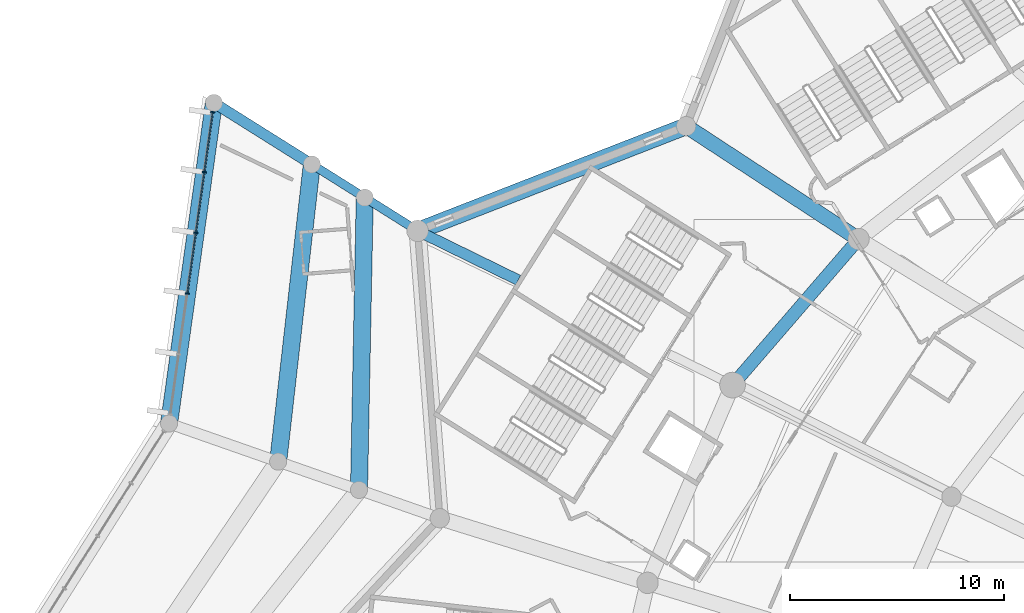
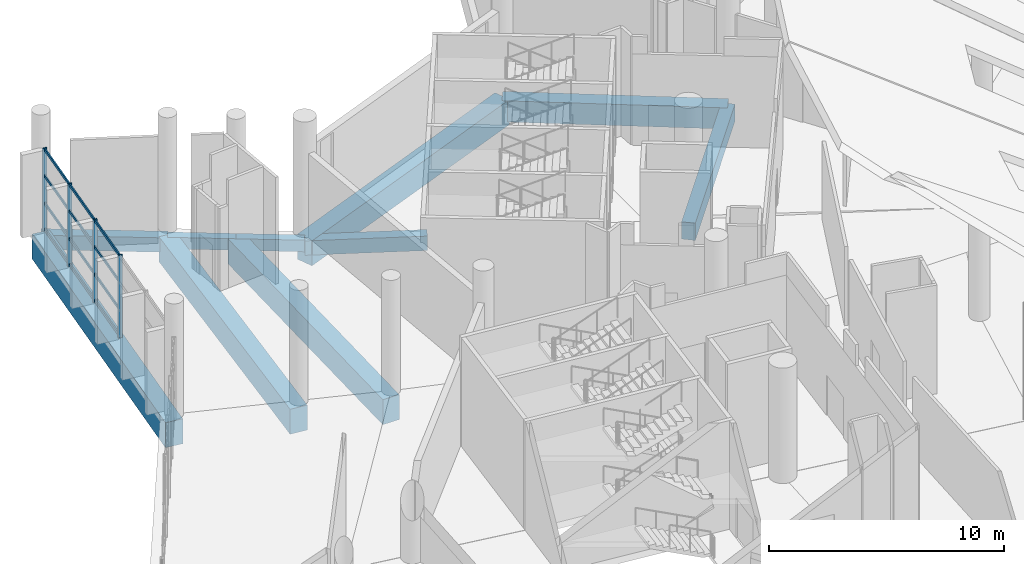
# One storey, part 63 of 249: 16 members, 10 beams, 1 element without a shape of its own.
"""IFC4 building model written with IfcOpenShell, lengths in metres."""

from ifc_helpers import new_model, si_unit, direction, frame, origin, origin_2d, place, context, subcontext, project, spatial, rectangle, extrude, material, layer, layer_set, material_profile, profile_set, type_object, element, aggregate, save


model = new_model("IFC4")

# Units and contexts
model_context = context("Model", 3, precision=1e-05, world=origin(), true_north=direction((0.0, 1.0)))
body_context = subcontext(model_context, "Body", "Model", "MODEL_VIEW")
ifc_project = project(units=[si_unit("LENGTHUNIT", "METRE"), si_unit("AREAUNIT", "SQUARE_METRE"), si_unit("VOLUMEUNIT", "CUBIC_METRE"), si_unit("PLANEANGLEUNIT", "RADIAN"), si_unit("MASSUNIT", "GRAM", prefix="KILO")], contexts=[model_context])

# Site, building, storey
site_placement = place(None, origin())
site = spatial("IfcSite", under=ifc_project, at=site_placement, CompositionType="ELEMENT")
building_placement = place(site_placement, origin())
building = spatial("IfcBuilding", under=site, at=building_placement, Name="Meseta Stadium", CompositionType="ELEMENT")
storey_placement = place(building_placement, frame((0.0, 0.0, 12.0)))
storey = spatial("IfcBuildingStorey", under=building, at=storey_placement, Name="L02", CompositionType="ELEMENT", Elevation=12.0)

# Beams
ifc_material_1 = material(Name="Concrete C40/50", Category="concrete")
ifc_material_profile_1 = material_profile(ifc_material_1, rectangle(XDim=0.39990234375, YDim=0.60009765625, at=origin_2d()), Name="RC 400x600")
ifc_profile_set_1 = profile_set([ifc_material_profile_1], Name="Concrete C40/50")
beam_type_1 = type_object("IfcBeamType", Name="RC beam 400x600", PredefinedType="BEAM", material=ifc_profile_set_1)
beam_1_placement = place(storey_placement, frame((-92.908447265625, 79.474609375, -0.64990234375), z_axis=(-0.846736663206, 0.532012239693, 0.0), x_axis=(-0.532012239693, -0.846736663206, 0.0)))
element("IfcBeam", 1, at=beam_1_placement, inside=storey, type_object=beam_type_1, Name="L02 radial beam frame 26 line R to M", PredefinedType="BEAM", context=body_context, shape_type="SweptSolid", body=[
    extrude(rectangle(XDim=0.39990234375, YDim=0.60009765625, at=origin_2d()), origin(), (0.0, 0.0, 1.0), 2.9189453125),
])
beam_2_placement = place(storey_placement, frame((-95.380126953125, 81.027587890625, -0.64990234375), z_axis=(-0.846698986635, 0.532072200017, 0.0), x_axis=(-0.532072200017, -0.846698986635, 0.0)))
element("IfcBeam", 2, at=beam_2_placement, inside=storey, type_object=beam_type_1, Name="L02 radial beam frame 26 line M to Q", PredefinedType="BEAM", context=body_context, shape_type="SweptSolid", body=[
    extrude(rectangle(XDim=0.39990234375, YDim=0.60009765625, at=origin_2d()), origin(), (0.0, 0.0, 1.0), 2.919189453125),
])
ifc_material_2 = material(Name="Concrete C40/50", Category="concrete")
ifc_material_profile_2 = material_profile(ifc_material_2, rectangle(XDim=0.5, YDim=0.75, at=origin_2d()), Name="RC 500x750")
ifc_profile_set_2 = profile_set([ifc_material_profile_2], Name="Concrete C40/50")
beam_type_2 = type_object("IfcBeamType", Name="RC beam 500x750", PredefinedType="BEAM", material=ifc_profile_set_2)
beam_3_placement = place(storey_placement, frame((-88.212158203125, 77.175048828125, -0.72509765625), z_axis=(-0.898112763243, 0.439765237939, 0.0), x_axis=(-0.439765237939, -0.898112763243, 0.0)))
element("IfcBeam", 3, at=beam_3_placement, inside=storey, type_object=beam_type_2, Name="L02 radial beam frame 26 line P to R", PredefinedType="BEAM", context=body_context, shape_type="SweptSolid", body=[
    extrude(rectangle(XDim=0.5, YDim=0.75, at=origin_2d()), origin(), (0.0, 0.0, 1.0), 5.22900390625),
])
beam_4_placement = place(storey_placement, frame((-97.851806640625, 82.580810546875, -0.72509765625), z_axis=(-0.846748855747, 0.531992833871, 0.0), x_axis=(-0.531992833871, -0.846748855747, 0.0)))
element("IfcBeam", 4, at=beam_4_placement, inside=storey, type_object=beam_type_2, Name="L02 radial beam frame 26 line Q to O", PredefinedType="BEAM", context=body_context, shape_type="SweptSolid", body=[
    extrude(rectangle(XDim=0.5, YDim=0.75, at=origin_2d()), origin(), (0.0, 0.0, 1.0), 5.400146484375),
])
ifc_material_3 = material(Name="Concrete C40/50", Category="concrete")
ifc_material_profile_3 = material_profile(ifc_material_3, rectangle(XDim=0.60009765625, YDim=0.89990234375, at=origin_2d()), Name="RC 600x900")
ifc_profile_set_3 = profile_set([ifc_material_profile_3], Name="Concrete C40/50")
beam_type_3 = type_object("IfcBeamType", Name="RC beam 600x900", PredefinedType="BEAM", material=ifc_profile_set_3)
beam_5_placement = place(storey_placement, frame((-72.31201171875, 79.091064453125, -0.800048828125), z_axis=(-0.653414508663, -0.757000316954, 0.0), x_axis=(0.757000316954, -0.653414508663, 0.0)))
element("IfcBeam", 5, at=beam_5_placement, inside=storey, type_object=beam_type_3, Name="L02 ring beam frame 25 line P", PredefinedType="BEAM", context=body_context, shape_type="SweptSolid", body=[
    extrude(rectangle(XDim=0.60009765625, YDim=0.89990234375, at=origin_2d()), origin(), (0.0, 0.0, 1.0), 9.008056640625),
])
ifc_material_4 = material(Name="Concrete C40/50", Category="concrete")
ifc_material_profile_4 = material_profile(ifc_material_4, rectangle(XDim=0.699951171875, YDim=1.10009765625, at=origin_2d()), Name="RC 700x1100")
ifc_profile_set_4 = profile_set([ifc_material_profile_4], Name="Concrete C40/50")
beam_type_4 = type_object("IfcBeamType", Name="RC beam 700x1100", PredefinedType="BEAM", material=ifc_profile_set_4)
beam_6_placement = place(storey_placement, frame((-72.31201171875, 79.091064453125, -0.89990234375), z_axis=(-0.836556122728, 0.547881240349, 0.0), x_axis=(-0.547881240349, -0.836556122728, 0.0)))
element("IfcBeam", 6, at=beam_6_placement, inside=storey, type_object=beam_type_4, Name="L02 radial beam frame 25 line P to R", PredefinedType="BEAM", context=body_context, shape_type="SweptSolid", body=[
    extrude(rectangle(XDim=0.699951171875, YDim=1.10009765625, at=origin_2d()), origin(), (0.0, 0.0, 1.0), 9.626953125),
])
ifc_material_5 = material(Name="Concrete C40/50", Category="concrete")
ifc_material_profile_5 = material_profile(ifc_material_5, rectangle(XDim=0.800048828125, YDim=1.300048828125, at=origin_2d()), Name="RC 800x1300")
ifc_profile_set_5 = profile_set([ifc_material_profile_5], Name="Concrete C40/50")
beam_type_5 = type_object("IfcBeamType", Name="RC beam 800x1300", PredefinedType="BEAM", material=ifc_profile_set_5)
beam_7_placement = place(storey_placement, frame((-80.365478515625, 84.365478515625, -1.0), z_axis=(-0.93167689837, -0.363287980868, 0.0), x_axis=(0.363287980868, -0.93167689837, 0.0)))
element("IfcBeam", 7, at=beam_7_placement, inside=storey, type_object=beam_type_5, Name="L02 ring beam frame 25 line R", PredefinedType="BEAM", context=body_context, shape_type="SweptSolid", body=[
    extrude(rectangle(XDim=0.800048828125, YDim=1.300048828125, at=origin_2d()), origin(), (0.0, 0.0, 1.0), 13.462890625),
])
beam_8_placement = place(storey_placement, frame((-95.380126953125, 81.027587890625, -1.0), z_axis=(-0.019627900499, -0.999807354205, 0.0), x_axis=(0.999807354205, -0.019627900499, 0.0)))
element("IfcBeam", 8, at=beam_8_placement, inside=storey, type_object=beam_type_5, Name="L02 ring beam frame 26 line M", PredefinedType="BEAM", context=body_context, shape_type="SweptSolid", body=[
    extrude(rectangle(XDim=0.800048828125, YDim=1.300048828125, at=origin_2d()), origin(), (0.0, 0.0, 1.0), 13.657470703125),
])
beam_9_placement = place(storey_placement, frame((-97.851806640625, 82.580810546875, -1.0), z_axis=(-0.112482832054, -0.993653668283, 0.0), x_axis=(0.993653668283, -0.112482832054, 0.0)))
element("IfcBeam", 9, at=beam_9_placement, inside=storey, type_object=beam_type_5, Name="L02 ring beam frame 26 line Q", PredefinedType="BEAM", context=body_context, shape_type="SweptSolid", body=[
    extrude(rectangle(XDim=0.800048828125, YDim=1.300048828125, at=origin_2d()), origin(), (0.0, 0.0, 1.0), 13.9755859375),
])
beam_10_placement = place(storey_placement, frame((-102.42431640625, 85.45361328125, -1.0), z_axis=(-0.138631693814, -0.990344007641, 0.0), x_axis=(0.990344007641, -0.138631693814, 0.0)))
element("IfcBeam", 10, at=beam_10_placement, inside=storey, type_object=beam_type_5, Name="L02 ring beam frame 26 line O", PredefinedType="BEAM", context=body_context, shape_type="SweptSolid", body=[
    extrude(rectangle(XDim=0.800048828125, YDim=1.300048828125, at=origin_2d()), origin(), (0.0, 0.0, 1.0), 15.122314453125),
])

# Curtain wall, members
ifc_material_6 = material(Name="Aluminium", Category="aluminium")
ifc_layer = layer(ifc_material_6, 0.199951171875)
ifc_layer_set = layer_set([ifc_layer], Name="Ring shopfront curtain wall")
curtain_wall_type = type_object("IfcCurtainWallType", Name="Ring shopfront curtain wall", PredefinedType="NOTDEFINED", material=ifc_layer_set)
curtain_wall_placement = place(storey_placement, origin())
curtain_wall = element("IfcCurtainWall", 11, at=curtain_wall_placement, inside=storey, type_object=curtain_wall_type, Name="Ring glazing L02 F26", PredefinedType="NOTDEFINED")
ifc_material_7 = material(Name="Aluminium", Category="aluminium")
ifc_material_profile_6 = material_profile(ifc_material_7, rectangle(XDim=0.199951171875, YDim=0.06005859375, at=origin_2d()), Name="CW 200x60")
ifc_profile_set_6 = profile_set([ifc_material_profile_6], Name="Aluminium")
member_type_1 = type_object("IfcMemberType", Name="Ring CW mullion 60x200", PredefinedType="MULLION", material=ifc_profile_set_6)
member_1_placement = place(storey_placement, frame((-102.483642578125, 85.02783203125, 0.0), z_axis=(0.0, 0.0, 1.0), x_axis=(0.990342456098, -0.13864277713, 0.0)))
member_1 = element("IfcMember", 12, at=member_1_placement, type_object=member_type_1, Name="CWR1 mullion 1", PredefinedType="MULLION", context=body_context, shape_type="SweptSolid", body=[
    extrude(rectangle(XDim=0.199951171875, YDim=0.06005859375, at=origin_2d()), origin(), (0.0, 0.0, 1.0), 4.300048828125),
])
member_2_placement = place(storey_placement, frame((-102.876708984375, 82.220703125, 0.0), z_axis=(0.0, 0.0, 1.0), x_axis=(0.990342456098, -0.13864277713, 0.0)))
member_2 = element("IfcMember", 13, at=member_2_placement, type_object=member_type_1, Name="CWR1 mullion 2", PredefinedType="MULLION", context=body_context, shape_type="SweptSolid", body=[
    extrude(rectangle(XDim=0.199951171875, YDim=0.06005859375, at=origin_2d()), origin(), (0.0, 0.0, 1.0), 4.300048828125),
])
member_3_placement = place(storey_placement, frame((-103.27392578125, 79.3837890625, 0.0), z_axis=(0.0, 0.0, 1.0), x_axis=(0.990342456098, -0.13864277713, 0.0)))
member_3 = element("IfcMember", 14, at=member_3_placement, type_object=member_type_1, Name="CWR1 mullion 3", PredefinedType="MULLION", context=body_context, shape_type="SweptSolid", body=[
    extrude(rectangle(XDim=0.199951171875, YDim=0.06005859375, at=origin_2d()), origin(), (0.0, 0.0, 1.0), 4.300048828125),
])
member_4_placement = place(storey_placement, frame((-103.6708984375, 76.547119140625, 0.0), z_axis=(0.0, 0.0, 1.0), x_axis=(0.990342456098, -0.13864277713, 0.0)))
member_4 = element("IfcMember", 15, at=member_4_placement, type_object=member_type_1, Name="CWR1 mullion 4", PredefinedType="MULLION", context=body_context, shape_type="SweptSolid", body=[
    extrude(rectangle(XDim=0.199951171875, YDim=0.06005859375, at=origin_2d()), origin(), (0.0, 0.0, 1.0), 4.300048828125),
])
ifc_material_8 = material(Name="Aluminium", Category="aluminium")
ifc_material_profile_7 = material_profile(ifc_material_8, rectangle(XDim=0.06005859375, YDim=0.14990234375, at=origin_2d()), Name="CW 60x150")
ifc_profile_set_7 = profile_set([ifc_material_profile_7], Name="Aluminium")
member_type_2 = type_object("IfcMemberType", Name="Ring CW transom 60x150", PredefinedType="USERDEFINED", material=ifc_profile_set_7)
member_5_placement = place(storey_placement, frame((-102.488037109375, 84.998046875, 0.074951171875), z_axis=(-0.13859951186, -0.990348512046, 0.0), x_axis=(0.990348512046, -0.13859951186, 0.0)))
member_5 = element("IfcMember", 16, at=member_5_placement, type_object=member_type_2, Name="CWR1 transom 1.1", ObjectType="TRANSOM", PredefinedType="USERDEFINED", context=body_context, shape_type="SweptSolid", body=[
    extrude(rectangle(XDim=0.06005859375, YDim=0.14990234375, at=origin_2d()), origin(), (0.0, 0.0, 1.0), 2.7744140625),
])
member_6_placement = place(storey_placement, frame((-102.488037109375, 84.998046875, 1.433349609375), z_axis=(-0.13859951186, -0.990348512046, 0.0), x_axis=(0.990348512046, -0.13859951186, 0.0)))
member_6 = element("IfcMember", 17, at=member_6_placement, type_object=member_type_2, Name="CWR1 transom 1.2", ObjectType="TRANSOM", PredefinedType="USERDEFINED", context=body_context, shape_type="SweptSolid", body=[
    extrude(rectangle(XDim=0.06005859375, YDim=0.14990234375, at=origin_2d()), origin(), (0.0, 0.0, 1.0), 2.7744140625),
])
member_7_placement = place(storey_placement, frame((-102.488037109375, 84.998046875, 2.86669921875), z_axis=(-0.13859951186, -0.990348512046, 0.0), x_axis=(0.990348512046, -0.13859951186, 0.0)))
member_7 = element("IfcMember", 18, at=member_7_placement, type_object=member_type_2, Name="CWR1 transom 1.3", ObjectType="TRANSOM", PredefinedType="USERDEFINED", context=body_context, shape_type="SweptSolid", body=[
    extrude(rectangle(XDim=0.06005859375, YDim=0.14990234375, at=origin_2d()), origin(), (0.0, 0.0, 1.0), 2.7744140625),
])
member_8_placement = place(storey_placement, frame((-102.488037109375, 84.998046875, 4.22509765625), z_axis=(-0.13859951186, -0.990348512046, 0.0), x_axis=(0.990348512046, -0.13859951186, 0.0)))
member_8 = element("IfcMember", 19, at=member_8_placement, type_object=member_type_2, Name="CWR1 transom 1.4", ObjectType="TRANSOM", PredefinedType="USERDEFINED", context=body_context, shape_type="SweptSolid", body=[
    extrude(rectangle(XDim=0.06005859375, YDim=0.14990234375, at=origin_2d()), origin(), (0.0, 0.0, 1.0), 2.7744140625),
])
member_9_placement = place(storey_placement, frame((-102.880859375, 82.19091796875, 0.074951171875), z_axis=(-0.138678581808, -0.99033744297, 0.0), x_axis=(0.99033744297, -0.138678581808, 0.0)))
member_9 = element("IfcMember", 20, at=member_9_placement, type_object=member_type_2, Name="CWR1 transom 2.1", ObjectType="TRANSOM", PredefinedType="USERDEFINED", context=body_context, shape_type="SweptSolid", body=[
    extrude(rectangle(XDim=0.06005859375, YDim=0.14990234375, at=origin_2d()), origin(), (0.0, 0.0, 1.0), 2.804443359375),
])
member_10_placement = place(storey_placement, frame((-102.880859375, 82.19091796875, 1.433349609375), z_axis=(-0.138678581808, -0.99033744297, 0.0), x_axis=(0.99033744297, -0.138678581808, 0.0)))
member_10 = element("IfcMember", 21, at=member_10_placement, type_object=member_type_2, Name="CWR1 transom 2.2", ObjectType="TRANSOM", PredefinedType="USERDEFINED", context=body_context, shape_type="SweptSolid", body=[
    extrude(rectangle(XDim=0.06005859375, YDim=0.14990234375, at=origin_2d()), origin(), (0.0, 0.0, 1.0), 2.804443359375),
])
member_11_placement = place(storey_placement, frame((-102.880859375, 82.19091796875, 2.86669921875), z_axis=(-0.138678581808, -0.99033744297, 0.0), x_axis=(0.99033744297, -0.138678581808, 0.0)))
member_11 = element("IfcMember", 22, at=member_11_placement, type_object=member_type_2, Name="CWR1 transom 2.3", ObjectType="TRANSOM", PredefinedType="USERDEFINED", context=body_context, shape_type="SweptSolid", body=[
    extrude(rectangle(XDim=0.06005859375, YDim=0.14990234375, at=origin_2d()), origin(), (0.0, 0.0, 1.0), 2.804443359375),
])
member_12_placement = place(storey_placement, frame((-102.880859375, 82.19091796875, 4.22509765625), z_axis=(-0.138678581808, -0.99033744297, 0.0), x_axis=(0.99033744297, -0.138678581808, 0.0)))
member_12 = element("IfcMember", 23, at=member_12_placement, type_object=member_type_2, Name="CWR1 transom 2.4", ObjectType="TRANSOM", PredefinedType="USERDEFINED", context=body_context, shape_type="SweptSolid", body=[
    extrude(rectangle(XDim=0.06005859375, YDim=0.14990234375, at=origin_2d()), origin(), (0.0, 0.0, 1.0), 2.804443359375),
])
member_13_placement = place(storey_placement, frame((-103.278076171875, 79.354248046875, 0.074951171875), z_axis=(-0.138581251587, -0.990351067404, 0.0), x_axis=(0.990351067404, -0.138581251587, 0.0)))
member_13 = element("IfcMember", 24, at=member_13_placement, type_object=member_type_2, Name="CWR1 transom 3.1", ObjectType="TRANSOM", PredefinedType="USERDEFINED", context=body_context, shape_type="SweptSolid", body=[
    extrude(rectangle(XDim=0.06005859375, YDim=0.14990234375, at=origin_2d()), origin(), (0.0, 0.0, 1.0), 2.8046875),
])
member_14_placement = place(storey_placement, frame((-103.278076171875, 79.354248046875, 1.433349609375), z_axis=(-0.138581251587, -0.990351067404, 0.0), x_axis=(0.990351067404, -0.138581251587, 0.0)))
member_14 = element("IfcMember", 25, at=member_14_placement, type_object=member_type_2, Name="CWR1 transom 3.2", ObjectType="TRANSOM", PredefinedType="USERDEFINED", context=body_context, shape_type="SweptSolid", body=[
    extrude(rectangle(XDim=0.06005859375, YDim=0.14990234375, at=origin_2d()), origin(), (0.0, 0.0, 1.0), 2.8046875),
])
member_15_placement = place(storey_placement, frame((-103.278076171875, 79.354248046875, 2.86669921875), z_axis=(-0.138581251587, -0.990351067404, 0.0), x_axis=(0.990351067404, -0.138581251587, 0.0)))
member_15 = element("IfcMember", 26, at=member_15_placement, type_object=member_type_2, Name="CWR1 transom 3.3", ObjectType="TRANSOM", PredefinedType="USERDEFINED", context=body_context, shape_type="SweptSolid", body=[
    extrude(rectangle(XDim=0.06005859375, YDim=0.14990234375, at=origin_2d()), origin(), (0.0, 0.0, 1.0), 2.8046875),
])
member_16_placement = place(storey_placement, frame((-103.278076171875, 79.354248046875, 4.22509765625), z_axis=(-0.138581251587, -0.990351067404, 0.0), x_axis=(0.990351067404, -0.138581251587, 0.0)))
member_16 = element("IfcMember", 27, at=member_16_placement, type_object=member_type_2, Name="CWR1 transom 3.4", ObjectType="TRANSOM", PredefinedType="USERDEFINED", context=body_context, shape_type="SweptSolid", body=[
    extrude(rectangle(XDim=0.06005859375, YDim=0.14990234375, at=origin_2d()), origin(), (0.0, 0.0, 1.0), 2.8046875),
])
aggregate(curtain_wall, [member_1, member_2, member_3, member_4, member_5, member_6, member_7, member_8, member_9, member_10, member_11, member_12, member_13, member_14, member_15, member_16])

save(model, "model.ifc")
